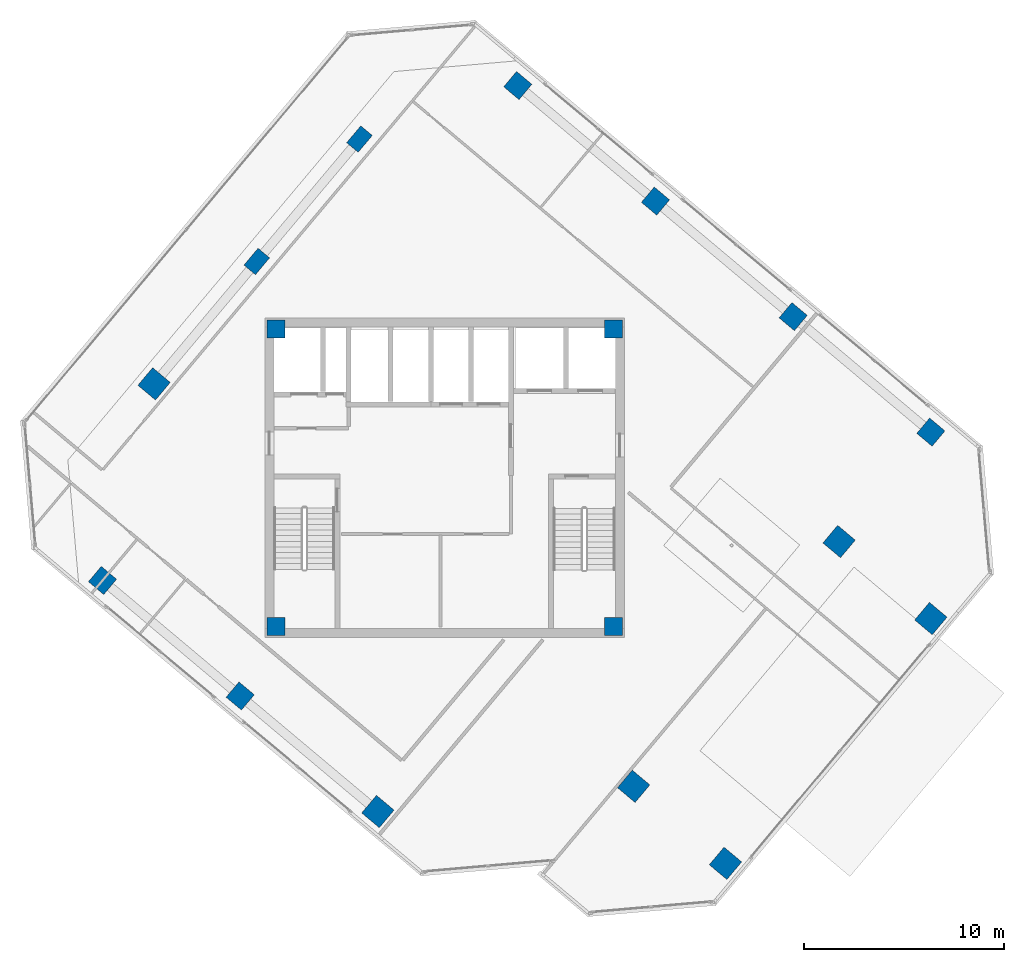
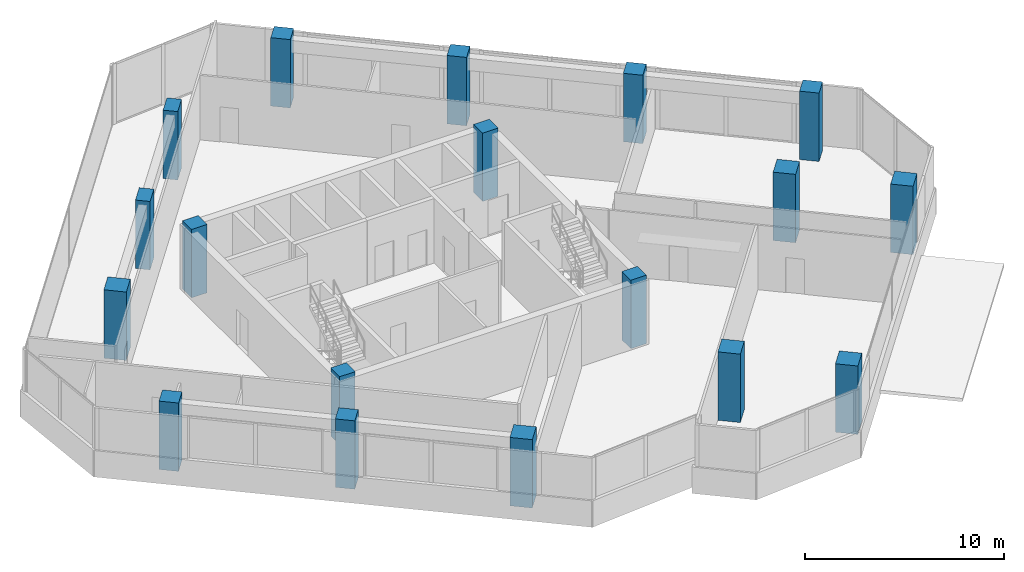
# One storey, part 1 of 17: 18 columns.
"""IFC4 building model written with IfcOpenShell, lengths in metres."""

import ifcopenshell
import ifcopenshell.guid

model = None  # the IFC model being written
_history = None  # IfcOwnerHistory: only IFC2X3 demands one
_inside = {}  # id of a spatial element -> (the spatial element, [elements in it])
_under = {}  # id of a project, library or spatial element -> (it, [spatial elements below it])
_declared = {}  # id of a project -> (the project, [libraries it declares])
_typed = {}  # id of a type object -> (the type object, [elements of that type])
_made_of = {}  # id of a material, layer set ... -> (it, [elements and type objects made of it])


def new_model(schema):
    """Start an empty IFC model of exactly this schema.

    Asked for "IFC4X3", IfcOpenShell would pick the latest addendum, in which some entities
    have other attributes; the version numbers below select the first issue.
    IFC2X3 requires an IfcOwnerHistory on every rooted entity: one is made here for all.
    """
    global model, _history
    if schema == "IFC4X3":
        model = ifcopenshell.file(schema_version=(4, 3, 0, 0))
    else:
        model = ifcopenshell.file(schema=schema)
    _inside.clear()
    _under.clear()
    _declared.clear()
    _typed.clear()
    _made_of.clear()
    _history = None
    if model.schema == "IFC2X3":
        org = make("IfcOrganization", Name="unknown")
        user = make(
            "IfcPersonAndOrganization",
            ThePerson=make("IfcPerson", FamilyName="unknown"),
            TheOrganization=org,
        )
        app = make(
            "IfcApplication",
            ApplicationDeveloper=org,
            Version="unknown",
            ApplicationFullName="unknown",
            ApplicationIdentifier="unknown",
        )
        _history = make(
            "IfcOwnerHistory",
            OwningUser=user,
            OwningApplication=app,
            ChangeAction="ADDED",
            CreationDate=0,
        )
    return model


def make(cls, **values):
    """One entity of the class cls with the attributes given. An attribute that is None is left unset."""
    return model.create_entity(
        cls, **{name: value for name, value in values.items() if value is not None}
    )


def rooted(cls, **values):
    """An entity with a GlobalId (a new one), such as an element, a storey or a relation."""
    return make(cls, GlobalId=ifcopenshell.guid.new(), OwnerHistory=_history, **values)


def si_unit(unit_type, name, prefix=None):
    """IfcSIUnit, for example si_unit("LENGTHUNIT", "METRE", prefix="MILLI")."""
    return make("IfcSIUnit", UnitType=unit_type, Prefix=prefix, Name=name)


def assignment(units):
    """IfcUnitAssignment: the units of a project."""
    return None if units is None else make("IfcUnitAssignment", Units=units)


def point(xyz):
    """IfcCartesianPoint."""
    return None if xyz is None else make("IfcCartesianPoint", Coordinates=xyz)


def direction(xyz):
    """IfcDirection."""
    return None if xyz is None else make("IfcDirection", DirectionRatios=xyz)


def frame(location, z_axis=None, x_axis=None):
    """IfcAxis2Placement3D, a coordinate frame: its origin and axes. An axis left out is left unset."""
    return make(
        "IfcAxis2Placement3D",
        Location=point(location),
        Axis=direction(z_axis),
        RefDirection=direction(x_axis),
    )


def frame_2d(location, x_axis=None):
    """IfcAxis2Placement2D, a coordinate frame in the plane: its origin and x axis."""
    return make(
        "IfcAxis2Placement2D", Location=point(location), RefDirection=direction(x_axis)
    )


def origin():
    """The frame at (0, 0, 0) with its axes left unset."""
    return frame((0.0, 0.0, 0.0))


def origin_2d():
    """The frame at (0, 0) in the plane with its x axis left unset."""
    return frame_2d((0.0, 0.0))


def place(relative_to, where):
    """IfcLocalPlacement: puts the frame where relative to a parent placement (None: the world)."""
    return make(
        "IfcLocalPlacement", PlacementRelTo=relative_to, RelativePlacement=where
    )


def context(
    kind, dimensions, precision=None, world=None, true_north=None, identifier=None
):
    """IfcGeometricRepresentationContext, for example the 3D "Model" context."""
    return make(
        "IfcGeometricRepresentationContext",
        ContextIdentifier=identifier,
        ContextType=kind,
        CoordinateSpaceDimension=dimensions,
        Precision=precision,
        WorldCoordinateSystem=world,
        TrueNorth=true_north,
    )


def subcontext(parent, identifier, kind, view, scale=None):
    """IfcGeometricRepresentationSubContext, for example "Body" below "Model"."""
    return make(
        "IfcGeometricRepresentationSubContext",
        ContextIdentifier=identifier,
        ContextType=kind,
        ParentContext=parent,
        TargetScale=scale,
        TargetView=view,
    )


def project(units=None, contexts=None):
    """IfcProject with its units and contexts."""
    return rooted(
        "IfcProject",
        Name="project",
        RepresentationContexts=contexts,
        UnitsInContext=assignment(units),
    )


def spatial(cls, under=None, at=None, **own):
    """A site, building, storey or space (cls), placed at a placement, below another one or the project."""
    s = rooted(cls, ObjectPlacement=at, **own)
    if under is not None:
        _under.setdefault(under.id(), (under, []))[1].append(s)
    return s


def profile(cls, at=None, kind="AREA", **sizes):
    """A parametric profile (cls). Its sizes go by their IFC names, for example OverallWidth=200.0."""
    return make(cls, ProfileType=kind, Position=at, **sizes)


def rectangle(**sizes):
    """IfcRectangleProfileDef."""
    return profile("IfcRectangleProfileDef", **sizes)


def extrude(swept, where, along, depth):
    """IfcExtrudedAreaSolid: the profile swept, set in the frame where, extruded along a direction by depth."""
    return make(
        "IfcExtrudedAreaSolid",
        SweptArea=swept,
        Position=where,
        ExtrudedDirection=direction(along),
        Depth=depth,
    )


def shape(context_of_items, identifier, shape_type, items):
    """IfcShapeRepresentation: the items that make up one representation, for example the "Body"."""
    return make(
        "IfcShapeRepresentation",
        ContextOfItems=context_of_items,
        RepresentationIdentifier=identifier,
        RepresentationType=shape_type,
        Items=items,
    )


def source(mapping_origin, context_of_items, identifier, shape_type, items):
    """IfcRepresentationMap: a shape defined once, which mapped items show again and again."""
    return make(
        "IfcRepresentationMap",
        MappingOrigin=mapping_origin,
        MappedRepresentation=shape(context_of_items, identifier, shape_type, items),
    )


def transform(
    local_origin,
    x_axis=None,
    y_axis=None,
    z_axis=None,
    scale=None,
    scale2=None,
    scale3=None,
    uniform=True,
):
    """IfcCartesianTransformationOperator3D, or its non-uniform kind. x_axis, y_axis, z_axis: its Axis1, 2, 3."""
    if uniform:
        return make(
            "IfcCartesianTransformationOperator3D",
            Axis1=direction(x_axis),
            Axis2=direction(y_axis),
            LocalOrigin=point(local_origin),
            Scale=scale,
            Axis3=direction(z_axis),
        )
    return make(
        "IfcCartesianTransformationOperator3DnonUniform",
        Axis1=direction(x_axis),
        Axis2=direction(y_axis),
        LocalOrigin=point(local_origin),
        Scale=scale,
        Axis3=direction(z_axis),
        Scale2=scale2,
        Scale3=scale3,
    )


def mapped(mapping_source, mapping_target):
    """IfcMappedItem: shows the shape of a source again, moved by a transform."""
    return make(
        "IfcMappedItem", MappingSource=mapping_source, MappingTarget=mapping_target
    )


def material(Name=None, Category=None):
    """IfcMaterial."""
    return make("IfcMaterial", Name=Name, Category=Category)


def material_profile(
    of_material, cross_section, Name=None, Category=None, Priority=None
):
    """IfcMaterialProfile: a cross section and its material."""
    return make(
        "IfcMaterialProfile",
        Name=Name,
        Material=of_material,
        Profile=cross_section,
        Priority=Priority,
        Category=Category,
    )


def profile_set(profiles, Name=None, composite=None):
    """IfcMaterialProfileSet."""
    return make(
        "IfcMaterialProfileSet",
        Name=Name,
        MaterialProfiles=profiles,
        CompositeProfile=composite,
    )


def made_of(thing, what):
    """Note that an element or type object is made of a material, layer set ...; save() writes the relation."""
    if what is not None:
        _made_of.setdefault(what.id(), (what, []))[1].append(thing)
    return thing


def type_object(cls, material=None, **own):
    """A type object (cls), such as IfcWallType, which elements share."""
    return made_of(rooted(cls, **own), material)


def element(
    cls,
    number,
    at=None,
    inside=None,
    cuts=None,
    type_object=None,
    material=None,
    context=None,
    identifier="Body",
    shape_type=None,
    held_by="IfcProductDefinitionShape",
    body=None,
    shapes=None,
    **own,
):
    """One element of the class cls, such as IfcWall. Its Tag is "e" and its number.

    at: its placement. inside: the storey or other place that contains it. cuts: it is an
    opening in that element (IfcRelVoidsElement). A single representation is given by context,
    identifier, shape_type and body (its items); several are given by shapes. held_by: the class
    of the entity that holds the representations. save() writes the other relations.
    """
    e = rooted(cls, Tag="e%d" % number, ObjectPlacement=at, **own)
    if body is not None:
        shapes = [shape(context, identifier, shape_type, body)]
    if shapes is not None:
        e.Representation = make(held_by, Representations=shapes)
    if inside is not None:
        _inside.setdefault(inside.id(), (inside, []))[1].append(e)
    if cuts is not None:
        rooted(
            "IfcRelVoidsElement", RelatingBuildingElement=cuts, RelatedOpeningElement=e
        )
    if type_object is not None:
        _typed.setdefault(type_object.id(), (type_object, []))[1].append(e)
    return made_of(e, material)


def aggregate(whole, parts):
    """IfcRelAggregates: a whole, such as a stair, and the parts it consists of."""
    return rooted("IfcRelAggregates", RelatingObject=whole, RelatedObjects=parts)


def save(model, path):
    """Write the relations noted so far, then the file.

    IfcRelAggregates (storeys below a building ...), IfcRelContainedInSpatialStructure (elements
    in a storey), IfcRelDefinesByType, IfcRelAssociatesMaterial and IfcRelDeclares: one each for
    every whole, place, type object, material and project.
    """
    for whole, parts in _under.values():
        aggregate(whole, parts)
    for where, things in _inside.values():
        rooted(
            "IfcRelContainedInSpatialStructure",
            RelatedElements=things,
            RelatingStructure=where,
        )
    for kind, things in _typed.values():
        rooted("IfcRelDefinesByType", RelatedObjects=things, RelatingType=kind)
    for what, things in _made_of.values():
        rooted("IfcRelAssociatesMaterial", RelatedObjects=things, RelatingMaterial=what)
    for by, libraries in _declared.values():
        rooted("IfcRelDeclares", RelatingContext=by, RelatedDefinitions=libraries)
    model.write(path)


model = new_model("IFC4")

# Units and contexts
model_context = context("Model", 3, precision=1e-05, world=origin(), true_north=direction((0.0, 1.0)))
body_context = subcontext(model_context, "Body", "Model", "MODEL_VIEW")
ifc_project = project(units=[si_unit("LENGTHUNIT", "METRE"), si_unit("AREAUNIT", "SQUARE_METRE"), si_unit("VOLUMEUNIT", "CUBIC_METRE"), si_unit("PLANEANGLEUNIT", "RADIAN"), si_unit("MASSUNIT", "GRAM", prefix="KILO")], contexts=[model_context])

# Site, building, storey
site_placement = place(None, origin())
site = spatial("IfcSite", under=ifc_project, at=site_placement, CompositionType="ELEMENT")
building_placement = place(site_placement, origin())
building = spatial("IfcBuilding", under=site, at=building_placement, Name="Torre Montelarca", CompositionType="ELEMENT")
storey_placement = place(building_placement, frame((0.0, 0.0, 220.60009765625)))
storey = spatial("IfcBuildingStorey", under=building, at=storey_placement, Name="L49", CompositionType="ELEMENT", Elevation=220.60009765625)

# Columns
ifc_material_1 = material(Name="Concrete C55/67", Category="concrete")
ifc_material_profile_1 = material_profile(ifc_material_1, rectangle(XDim=1.14990234375, YDim=1.14990234375, at=origin_2d()), Name="RC1150X1150", Category="concrete")
ifc_profile_set_1 = profile_set([ifc_material_profile_1], Name="Concrete C55/67")
column_type_1 = type_object("IfcColumnType", Name="COL-RC1150", PredefinedType="COLUMN", material=ifc_profile_set_1)
shared_shape_1 = source(origin(), body_context, "Body", "SweptSolid", [
    extrude(rectangle(XDim=1.14990234375, YDim=1.14990234375, at=origin_2d()), origin(), (0.0, 0.0, 1.0), 4.198486328125),
])
for number, where, z_axis, x_axis, name in (
    (1, (27.46533203125, 16.55126953125, 0.000732421875), (0.0, 0.0, 1.0), (-0.766044443119, 0.642787609687, 0.0), "L49 Column 5/D"),
    (2, (37.75, 28.807861328125, 0.000732421875), (0.0, 0.0, 1.0), (-0.766044443119, 0.642787609687, 0.0), "L49 Column 5/F"),
):
    element("IfcColumn", number, at=place(storey_placement, frame(where, z_axis=z_axis, x_axis=x_axis)), inside=storey, type_object=column_type_1, Name=name, PredefinedType="COLUMN", context=body_context, shape_type="MappedRepresentation", body=[
        mapped(shared_shape_1, transform((0.0, 0.0, 0.0), scale=1.0)),
    ])
ifc_material_profile_2 = material_profile(ifc_material_1, rectangle(XDim=1.14990234375, YDim=1.14990234375, at=origin_2d()), Name="RC1150X1150", Category="concrete")
ifc_profile_set_2 = profile_set([ifc_material_profile_2], Name="Concrete C55/67")
column_type_2 = type_object("IfcColumnType", Name="COL-RC1150-EXT", PredefinedType="COLUMN", material=ifc_profile_set_2)
shared_shape_2 = source(origin(), body_context, "Body", "SweptSolid", [
    extrude(rectangle(XDim=1.14990234375, YDim=1.14990234375, at=origin_2d()), origin(), (0.0, 0.0, 1.0), 4.198486328125),
])
for number, where, z_axis, x_axis, name in (
    (3, (14.6572265625, 15.288818359375, 0.000732421875), (0.0, 0.0, 1.0), (-0.766044443119, 0.642787609687, 0.0), "L49 Column 4/CS"),
    (4, (32.0615234375, 12.694580078125, 0.000732421875), (0.0, 0.0, 1.0), (-0.766044443119, 0.642787609687, 0.0), "L49 Column 6/D"),
    (5, (42.34619140625, 24.951171875, 0.000732421875), (0.0, 0.0, 1.0), (-0.766044443119, 0.642787609687, 0.0), "L49 Column 6/F"),
    (6, (3.449951171875, 36.70263671875, 0.000732421875), (0.0, 0.0, 1.0), (-0.766044443119, 0.642787609687, 0.0), "L49 Column 1W/D"),
):
    element("IfcColumn", number, at=place(storey_placement, frame(where, z_axis=z_axis, x_axis=x_axis)), inside=storey, type_object=column_type_2, Name=name, PredefinedType="COLUMN", context=body_context, shape_type="MappedRepresentation", body=[
        mapped(shared_shape_2, transform((0.0, 0.0, 0.0), scale=1.0)),
    ])
ifc_material_profile_3 = material_profile(ifc_material_1, rectangle(XDim=1.0, YDim=1.0, at=origin_2d()), Name="RC1000X1000", Category="concrete")
ifc_profile_set_3 = profile_set([ifc_material_profile_3], Name="Concrete C55/67")
column_type_3 = type_object("IfcColumnType", Name="COL-RC1000-EXT", PredefinedType="COLUMN", material=ifc_profile_set_3)
shared_shape_3 = source(origin(), body_context, "Body", "SweptSolid", [
    extrude(rectangle(XDim=1.0, YDim=1.0, at=origin_2d()), origin(), (0.0, 0.0, 1.0), 4.198486328125),
])
for number, where, z_axis, x_axis, name in (
    (7, (0.868408203125, 26.85888671875, 0.000732421875), (0.0, 0.0, 1.0), (-0.766044443119, 0.642787609687, 0.0), "L49 Column 2/CS"),
    (8, (21.66259765625, 51.640380859375, 0.000732421875), (0.0, 0.0, 1.0), (-0.766044443119, 0.642787609687, 0.0), "L49 Column 2/GN"),
    (9, (7.762939453125, 21.07373046875, 0.000732421875), (0.0, 0.0, 1.0), (-0.766044443119, 0.642787609687, 0.0), "L49 Column 3/CS"),
    (10, (28.55712890625, 45.855224609375, 0.000732421875), (0.0, 0.0, 1.0), (-0.766044443119, 0.642787609687, 0.0), "L49 Column 3/GN"),
    (11, (35.451416015625, 40.0703125, 0.000732421875), (0.0, 0.0, 1.0), (-0.766044443119, 0.642787609687, 0.0), "L49 Column 4/GN"),
    (12, (42.345947265625, 34.28515625, 0.000732421875), (0.0, 0.0, 1.0), (-0.766044443119, 0.642787609687, 0.0), "L49 Column 5/GN"),
):
    element("IfcColumn", number, at=place(storey_placement, frame(where, z_axis=z_axis, x_axis=x_axis)), inside=storey, type_object=column_type_3, Name=name, PredefinedType="COLUMN", context=body_context, shape_type="MappedRepresentation", body=[
        mapped(shared_shape_3, transform((0.0, 0.0, 0.0), scale=1.0)),
    ])
ifc_material_profile_4 = material_profile(ifc_material_1, rectangle(XDim=0.89990234375, YDim=0.89990234375, at=origin_2d()), Name="RC900X900", Category="concrete")
ifc_profile_set_4 = profile_set([ifc_material_profile_4], Name="Concrete C55/67")
column_type_4 = type_object("IfcColumnType", Name="COL-RC900", PredefinedType="COLUMN", material=ifc_profile_set_4)
shared_shape_4 = source(origin(), body_context, "Body", "SweptSolid", [
    extrude(rectangle(XDim=0.89990234375, YDim=0.89990234375, at=origin_2d()), origin(), (0.0, 0.0, 1.0), 4.198486328125),
])
for number, where, z_axis, x_axis, name in (
    (13, (9.550048828125, 24.550048828125, 0.000732421875), (0.0, 0.0, 1.0), (1.0, 0.0, 0.0), "L49 Plumb Core Corner Column 2D"),
    (14, (26.449951171875, 24.550048828125, 0.000732421875), (0.0, 0.0, 1.0), (1.0, 0.0, 0.0), "L49 Plumb Core Corner Column 4D"),
    (15, (9.550048828125, 39.449951171875, 0.000732421875), (0.0, 0.0, 1.0), (1.0, 0.0, 0.0), "L49 Plumb Core Corner Column 2F"),
    (16, (26.449951171875, 39.449951171875, 0.000732421875), (0.0, 0.0, 1.0), (1.0, 0.0, 0.0), "L49 Plumb Core Corner Column 4F"),
):
    element("IfcColumn", number, at=place(storey_placement, frame(where, z_axis=z_axis, x_axis=x_axis)), inside=storey, type_object=column_type_4, Name=name, PredefinedType="COLUMN", context=body_context, shape_type="MappedRepresentation", body=[
        mapped(shared_shape_4, transform((0.0, 0.0, 0.0), scale=1.0)),
    ])
ifc_material_2 = material(Name="Concrete C40/50", Category="concrete")
ifc_material_profile_5 = material_profile(ifc_material_2, rectangle(XDim=0.75, YDim=1.10009765625, at=origin_2d()), Name="RC1100X750", Category="concrete")
ifc_profile_set_5 = profile_set([ifc_material_profile_5], Name="Concrete C40/50")
column_type_5 = type_object("IfcColumnType", Name="COL-PIL1100-EXT", PredefinedType="PILASTER", material=ifc_profile_set_5)
shared_shape_5 = source(origin(), body_context, "Body", "SweptSolid", [
    extrude(rectangle(XDim=0.75, YDim=1.10009765625, at=origin_2d()), origin(), (0.0, 0.0, 1.0), 4.198486328125),
])
for number, where, z_axis, x_axis, name in (
    (17, (8.59228515625, 42.8310546875, 0.000732421875), (0.0, 0.0, 1.0), (-0.766044443119, 0.642787609687, 0.0), "L49 Column 1W/E"),
    (18, (13.734619140625, 48.959228515625, 0.000732421875), (0.0, 0.0, 1.0), (-0.766044443119, 0.642787609687, 0.0), "L49 Column 1W/F"),
):
    element("IfcColumn", number, at=place(storey_placement, frame(where, z_axis=z_axis, x_axis=x_axis)), inside=storey, type_object=column_type_5, Name=name, PredefinedType="PILASTER", context=body_context, shape_type="MappedRepresentation", body=[
        mapped(shared_shape_5, transform((0.0, 0.0, 0.0), scale=1.0)),
    ])

save(model, "model.ifc")
